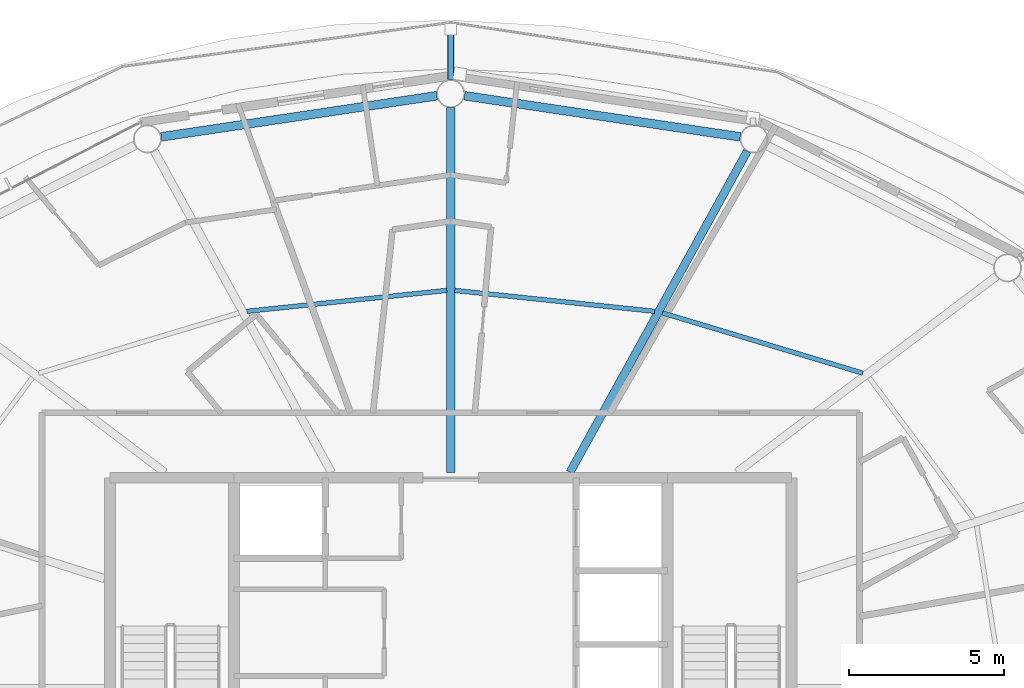
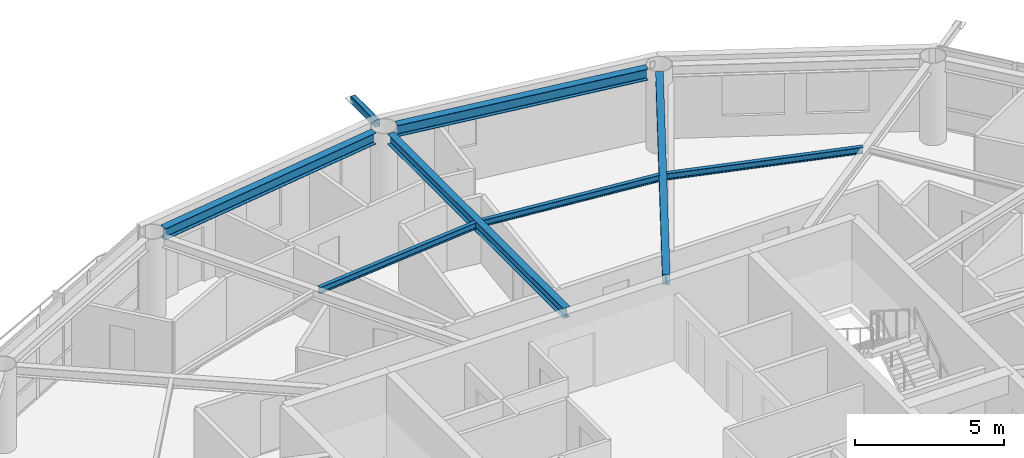
# One storey, part 10 of 22: 7 beams, 1 member.
"""IFC4 building model written with IfcOpenShell, lengths in metres."""

from ifc_helpers import new_model, si_unit, direction, frame, origin, origin_2d, place, context, subcontext, project, spatial, hollow_rectangle, i_section, extrude, material, material_profile, profile_set, type_object, element, save


model = new_model("IFC4")

# Units and contexts
model_context = context("Model", 3, precision=1e-05, world=origin(), true_north=direction((0.0, 1.0)))
body_context = subcontext(model_context, "Body", "Model", "MODEL_VIEW")
ifc_project = project(units=[si_unit("LENGTHUNIT", "METRE"), si_unit("AREAUNIT", "SQUARE_METRE"), si_unit("VOLUMEUNIT", "CUBIC_METRE"), si_unit("PLANEANGLEUNIT", "RADIAN"), si_unit("MASSUNIT", "GRAM", prefix="KILO")], contexts=[model_context])

# Site, building, storey
site_placement = place(None, origin())
site = spatial("IfcSite", under=ifc_project, at=site_placement, CompositionType="ELEMENT")
building_placement = place(site_placement, origin())
building = spatial("IfcBuilding", under=site, at=building_placement, Name="Sarneth Arch Tower", CompositionType="ELEMENT")
storey_placement = place(building_placement, frame((0.0, 0.0, 298.199951171875)))
storey = spatial("IfcBuildingStorey", under=building, at=storey_placement, Name="L77", CompositionType="ELEMENT", Elevation=298.199951171875)

# Beams
ifc_material_1 = material(Name="Steel S355", Category="steel")
ifc_material_profile_1 = material_profile(ifc_material_1, i_section(OverallWidth=0.14794921875, OverallDepth=0.26611328125, WebThickness=0.007568359375, FlangeThickness=0.012939453125, FilletRadius=0.012939453125, at=origin_2d()), Name="W250x44.8")
ifc_profile_set_1 = profile_set([ifc_material_profile_1], Name="Steel S355")
beam_type_1 = type_object("IfcBeamType", Name="BM-JOIST-250", PredefinedType="JOIST", material=ifc_profile_set_1)
beam_1_placement = place(storey_placement, frame((61.301025390625, 52.177490234375, 3.237060546875), z_axis=(-0.95760703602, 0.288077705776, 0.0), x_axis=(-0.288077705776, -0.95760703602, 0.0)))
element("IfcBeam", 1, at=beam_1_placement, inside=storey, type_object=beam_type_1, Name="L77 Secondary floor joist 03", PredefinedType="JOIST", context=body_context, shape_type="SweptSolid", body=[
    extrude(i_section(OverallWidth=0.14794921875, OverallDepth=0.26611328125, WebThickness=0.007568359375, FlangeThickness=0.012939453125, FilletRadius=0.012939453125, at=origin_2d()), origin(), (0.0, 0.0, 1.0), 6.7509765625),
])
for number, where, z_axis, x_axis, name in (
    (2, (54.582275390625, 54.17333984375, 3.237060546875), (-0.994564879221, 0.104118687178, 0.0), (-0.104118687178, -0.994564879221, 0.0), "L77 Secondary floor joist 04"),
    (3, (47.87060546875, 54.848876953125, 3.237060546875), (-0.994564879221, -0.104118687178, 0.0), (0.104118687178, -0.994564879221, 0.0), "L77 Secondary floor joist 05"),
):
    element("IfcBeam", number, at=place(storey_placement, frame(where, z_axis=z_axis, x_axis=x_axis)), inside=storey, type_object=beam_type_1, Name=name, PredefinedType="JOIST", context=body_context, shape_type="SweptSolid", body=[
        extrude(i_section(OverallWidth=0.14794921875, OverallDepth=0.26611328125, WebThickness=0.007568359375, FlangeThickness=0.012939453125, FilletRadius=0.012939453125, at=origin_2d()), origin(), (0.0, 0.0, 1.0), 6.488037109375),
    ])
ifc_material_2 = material(Name="Steel S355", Category="steel")
ifc_material_profile_2 = material_profile(ifc_material_2, i_section(OverallWidth=0.260009765625, OverallDepth=0.4150390625, WebThickness=0.010009765625, FlangeThickness=0.016845703125, FilletRadius=0.01611328125, at=origin_2d()), Name="W410x100")
ifc_profile_set_2 = profile_set([ifc_material_profile_2], Name="Steel S355")
beam_type_2 = type_object("IfcBeamType", Name="BM-RAD-410A", PredefinedType="BEAM", material=ifc_profile_set_2)
beam_2_placement = place(storey_placement, frame((51.849853515625, 48.97509765625, 3.16259765625), z_axis=(0.483229367873, 0.875493790969, 0.0), x_axis=(-0.875493790969, 0.483229367873, 0.0)))
element("IfcBeam", 4, at=beam_2_placement, inside=storey, type_object=beam_type_2, Name="L77 Radial floor girder 04", PredefinedType="BEAM", context=body_context, shape_type="SweptSolid", body=[
    extrude(i_section(OverallWidth=0.260009765625, OverallDepth=0.4150390625, WebThickness=0.010009765625, FlangeThickness=0.016845703125, FilletRadius=0.01611328125, at=origin_2d()), origin(), (0.0, 0.0, 1.0), 11.843994140625),
])
beam_3_placement = place(storey_placement, frame((48.0, 48.97509765625, 3.16259765625), z_axis=(0.0, 1.0, 0.0), x_axis=(-1.0, 0.0, 0.0)))
element("IfcBeam", 5, at=beam_3_placement, inside=storey, type_object=beam_type_2, Name="L77 Radial floor girder 05", PredefinedType="BEAM", context=body_context, shape_type="SweptSolid", body=[
    extrude(i_section(OverallWidth=0.260009765625, OverallDepth=0.4150390625, WebThickness=0.010009765625, FlangeThickness=0.016845703125, FilletRadius=0.01611328125, at=origin_2d()), origin(), (0.0, 0.0, 1.0), 11.77490234375),
])
ifc_material_3 = material(Name="Steel S355", Category="steel")
ifc_material_profile_3 = material_profile(ifc_material_3, i_section(OverallWidth=0.280029296875, OverallDepth=0.462890625, WebThickness=0.0107421875, FlangeThickness=0.017333984375, FilletRadius=0.01806640625, at=origin_2d()), Name="W460x113")
ifc_profile_set_3 = profile_set([ifc_material_profile_3], Name="Steel S355")
beam_type_3 = type_object("IfcBeamType", Name="BM-RAD-460A", PredefinedType="BEAM", material=ifc_profile_set_3)
for number, where, z_axis, x_axis, name in (
    (6, (57.345703125, 59.804931640625, 3.138427734375), (-0.989041765772, 0.147635990052, 0.0), (-0.147635990052, -0.989041765772, 0.0), "L77 Perimeter spandrel beam 04"),
    (7, (47.554931640625, 61.133544921875, 3.138427734375), (-0.989041765772, -0.147635990052, 0.0), (0.147635990052, -0.989041765772, 0.0), "L77 Perimeter spandrel beam 05"),
):
    element("IfcBeam", number, at=place(storey_placement, frame(where, z_axis=z_axis, x_axis=x_axis)), inside=storey, type_object=beam_type_3, Name=name, PredefinedType="BEAM", context=body_context, shape_type="SweptSolid", body=[
        extrude(i_section(OverallWidth=0.280029296875, OverallDepth=0.462890625, WebThickness=0.0107421875, FlangeThickness=0.017333984375, FilletRadius=0.01806640625, at=origin_2d()), origin(), (0.0, 0.0, 1.0), 8.999267578125),
    ])

# Member
ifc_material_4 = material(Name="Steel S355", Category="steel")
ifc_material_profile_4 = material_profile(ifc_material_4, hollow_rectangle(XDim=0.199951171875, YDim=0.300048828125, WallThickness=0.012451171875, InnerFilletRadius=0.018798828125, OuterFilletRadius=0.03125, at=origin_2d()), Name="RHS300x200x12.5")
ifc_profile_set_4 = profile_set([ifc_material_profile_4], Name="Steel S355")
member_type = type_object("IfcMemberType", Name="MEM-CANT-STRUT", PredefinedType="STRUT", material=ifc_profile_set_4)
member_placement = place(storey_placement, frame((48.0, 61.64990234375, 3.2099609375), z_axis=(0.0, 1.0, 0.0), x_axis=(-1.0, 0.0, 0.0)))
element("IfcMember", 8, at=member_placement, inside=storey, type_object=member_type, Name="L77 Balcony cantilever bracket 05", PredefinedType="STRUT", context=body_context, shape_type="SweptSolid", body=[
    extrude(hollow_rectangle(XDim=0.199951171875, YDim=0.300048828125, WallThickness=0.012451171875, InnerFilletRadius=0.018798828125, OuterFilletRadius=0.03125, at=origin_2d()), origin(), (0.0, 0.0, 1.0), 1.6279296875),
])

save(model, "model.ifc")
